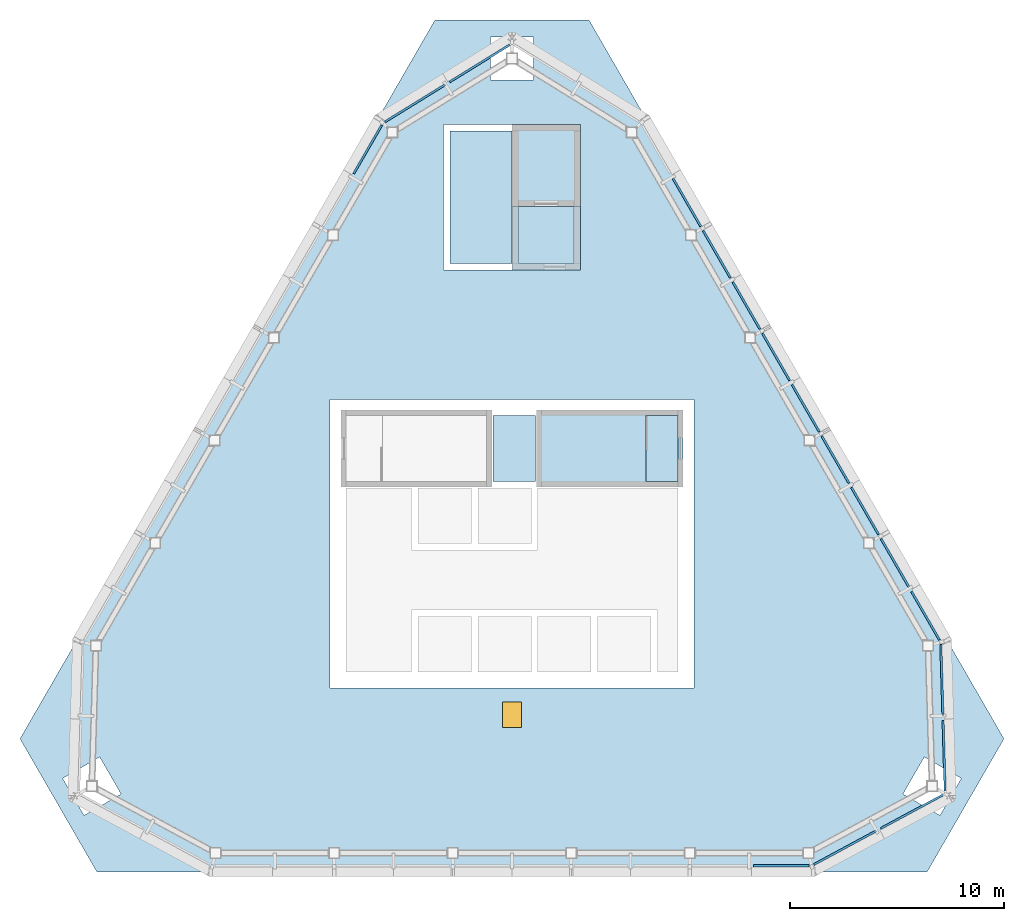
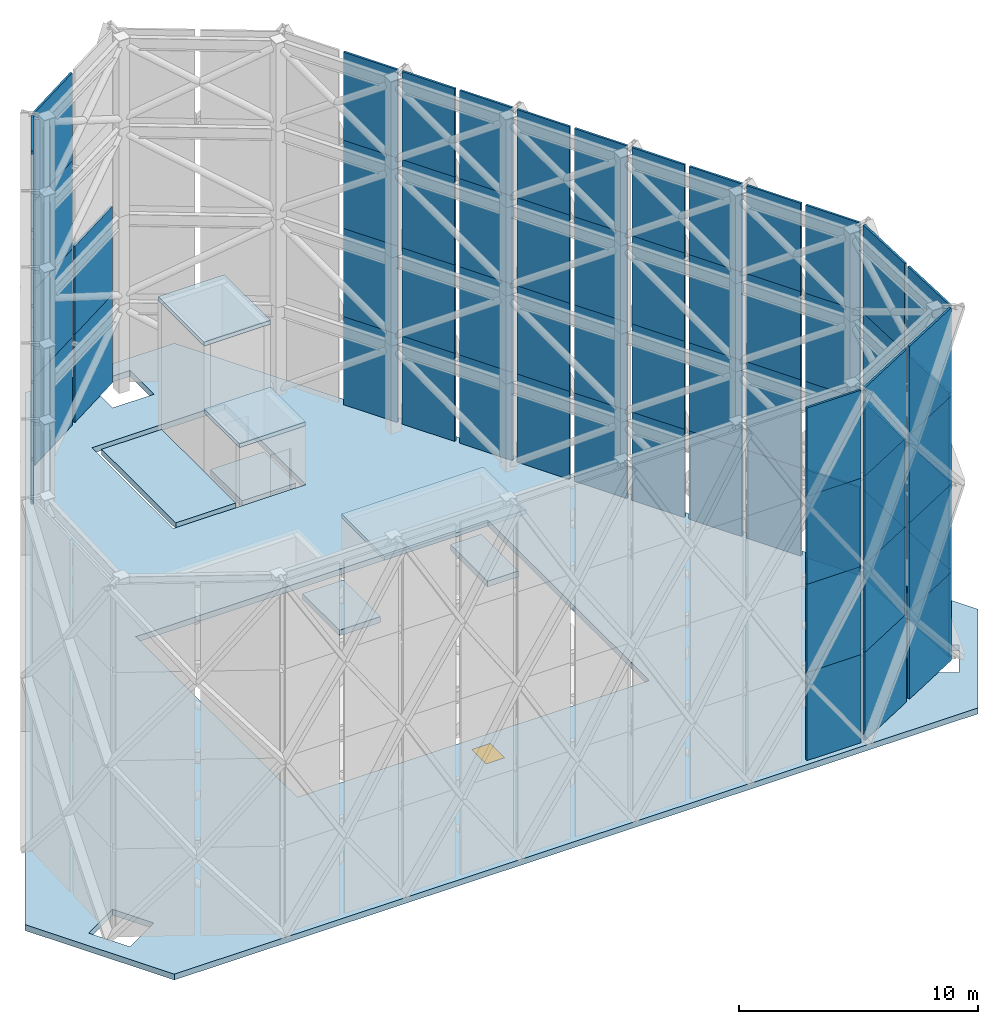
# One storey, part 9 of 12: 66 plates, 8 slabs, 1 door, 1 opening.
"""IFC4 building model written with IfcOpenShell, lengths in metres."""

from ifc_helpers import new_model, si_unit, direction, frame, origin, origin_2d, place, context, subcontext, project, spatial, polyline, rectangle, outline, extrude, material, layer, layer_set, type_object, element, fill, save


model = new_model("IFC4")

# Units and contexts
model_context = context("Model", 3, precision=1e-05, world=origin(), true_north=direction((0.0, 1.0)))
body_context = subcontext(model_context, "Body", "Model", "MODEL_VIEW")
ifc_project = project(units=[si_unit("LENGTHUNIT", "METRE"), si_unit("AREAUNIT", "SQUARE_METRE"), si_unit("VOLUMEUNIT", "CUBIC_METRE"), si_unit("PLANEANGLEUNIT", "RADIAN"), si_unit("MASSUNIT", "GRAM", prefix="KILO")], contexts=[model_context])

# Site, building, storey
site_placement = place(None, origin())
site = spatial("IfcSite", under=ifc_project, at=site_placement, CompositionType="ELEMENT")
building_placement = place(site_placement, origin())
building = spatial("IfcBuilding", under=site, at=building_placement, Name="Firuza Gate Tower and Library", CompositionType="ELEMENT")
storey_placement = place(building_placement, frame((0.0, 0.0, 339.60009765625)))
storey = spatial("IfcBuildingStorey", under=building, at=storey_placement, Name="Roof", CompositionType="ELEMENT", Elevation=339.60009765625)

# Slab, opening, door
ifc_material_1 = material(Name="Concrete C40/50", Category="concrete")
ifc_layer_1 = layer(ifc_material_1, 0.300048828125)
ifc_layer_set_1 = layer_set([ifc_layer_1], Name="Crown deck 300 C40/50")
slab_type_1 = type_object("IfcSlabType", Name="Crown deck 300 C40/50", PredefinedType="ROOF", material=ifc_layer_set_1)
placement_1 = place(storey_placement, frame((0.0, 0.0, -0.300048828125)))
slab_1 = element("IfcSlab", 1, at=placement_1, inside=storey, type_object=slab_type_1, Name="Crown deck over L82", PredefinedType="ROOF", context=body_context, shape_type="SweptSolid", body=[
    extrude(outline(polyline([(71.39990234375, 99.479736328125), (52.0, 65.8779296875), (55.60009765625, 59.642578125), (94.39990234375, 59.642578125), (98.0, 65.8779296875), (78.60009765625, 99.479736328125), (71.39990234375, 99.479736328125)]), holes=[polyline([(56.724853515625, 63.294189453125), (54.992919921875, 62.294189453125), (53.992919921875, 64.026123046875), (55.724853515625, 65.026123046875), (56.724853515625, 63.294189453125)]), polyline([(66.5, 69.0), (66.5, 81.0), (66.5, 81.75), (83.5, 81.75), (83.5, 81.0), (83.5, 69.0), (83.5, 68.25), (66.5, 68.25), (66.5, 69.0)]), polyline([(71.800048828125, 88.10009765625), (71.800048828125, 94.300048828125), (71.800048828125, 94.60009765625), (78.199951171875, 94.60009765625), (78.199951171875, 94.300048828125), (78.199951171875, 88.10009765625), (78.199951171875, 88.10009765625), (78.199951171875, 87.800048828125), (71.800048828125, 87.800048828125), (71.800048828125, 88.10009765625), (71.800048828125, 88.10009765625)]), polyline([(74.0, 98.6796875), (76.0, 98.6796875), (76.0, 96.6796875), (74.0, 96.6796875), (74.0, 98.6796875)]), polyline([(94.275146484375, 65.026123046875), (96.007080078125, 64.026123046875), (95.007080078125, 62.294189453125), (93.275146484375, 63.294189453125), (94.275146484375, 65.026123046875)])]), origin(), (0.0, 0.0, 1.0), 0.300048828125),
])
opening_placement = place(placement_1, frame((75.0, 67.0, 0.0)))
opening = element("IfcOpeningElement", 2, at=opening_placement, cuts=slab_1, Name="Opening DR7", PredefinedType="OPENING", context=body_context, shape_type="SweptSolid", body=[
    extrude(rectangle(XDim=0.89990234375, YDim=1.199951171875, at=origin_2d()), origin(), (0.0, 0.0, 1.0), 0.300048828125),
])
ifc_material_2 = material(Name="Steel S355 and ceramic coating", Category="steel")
door_type = type_object("IfcDoorType", Name="Roof access hatch 900x1200", OperationType="NOTDEFINED", PredefinedType="TRAPDOOR", material=ifc_material_2)
door_placement = place(opening_placement, frame((0.0, 0.0, 0.25)))
door = element("IfcDoor", 3, at=door_placement, inside=storey, type_object=door_type, Name="Roof access hatch", OperationType="NOTDEFINED", OverallHeight=1.199951171875, OverallWidth=0.89990234375, PredefinedType="TRAPDOOR", context=body_context, shape_type="SweptSolid", body=[
    extrude(rectangle(XDim=0.89990234375, YDim=1.199951171875, at=origin_2d()), origin(), (0.0, 0.0, 1.0), 0.050048828125),
])
fill(opening, door)

# Slabs
element("IfcSlab", 4, at=placement_1, inside=storey, type_object=slab_type_1, Name="Crown deck over L82", PredefinedType="ROOF", context=body_context, shape_type="SweptSolid", body=[
    extrude(outline(polyline([(76.090087890625, 77.89990234375), (76.090087890625, 81.0), (74.110107421875, 81.0), (74.110107421875, 77.89990234375), (76.090087890625, 77.89990234375)])), origin(), (0.0, 0.0, 1.0), 0.300048828125),
])
element("IfcSlab", 5, at=placement_1, inside=storey, type_object=slab_type_1, Name="Crown deck over L82", PredefinedType="ROOF", context=body_context, shape_type="SweptSolid", body=[
    extrude(outline(polyline([(82.75, 77.89990234375), (82.75, 81.0), (81.259521484375, 81.0), (81.259521484375, 77.89990234375), (82.75, 77.89990234375)])), origin(), (0.0, 0.0, 1.0), 0.300048828125),
])
element("IfcSlab", 6, at=placement_1, inside=storey, type_object=slab_type_1, Name="Crown deck over L82", PredefinedType="ROOF", context=body_context, shape_type="SweptSolid", body=[
    extrude(outline(polyline([(75.0, 88.10009765625), (75.0, 94.300048828125), (72.10009765625, 94.300048828125), (72.10009765625, 88.10009765625), (75.0, 88.10009765625)])), origin(), (0.0, 0.0, 1.0), 0.300048828125),
])
element("IfcSlab", 7, at=placement_1, inside=storey, type_object=slab_type_1, Name="Crown deck over L82", PredefinedType="ROOF", context=body_context, shape_type="SweptSolid", body=[
    extrude(outline(polyline([(77.89990234375, 90.75), (75.300048828125, 90.75), (75.300048828125, 88.10009765625), (77.89990234375, 88.10009765625), (77.89990234375, 90.75)])), origin(), (0.0, 0.0, 1.0), 0.300048828125),
])

# Plates
ifc_material_3 = material(Name="Perforated ceramic tile")
ifc_layer_2 = layer(ifc_material_3, 0.10009765625)
ifc_layer_set_2 = layer_set([ifc_layer_2], Name="Perforated ceramic SCREEN panel")
plate_type = type_object("IfcPlateType", Name="Perforated ceramic SCREEN panel", PredefinedType="SHEET", material=ifc_layer_set_2)
plate_1_placement = place(storey_placement, frame((86.281494140625, 59.892578125, 0.0), z_axis=(0.0, -1.0, 0.0), x_axis=(1.0, 0.0, 0.0)))
element("IfcPlate", 8, at=plate_1_placement, inside=storey, type_object=plate_type, Name="SCREEN 1.7.2", PredefinedType="SHEET", context=body_context, shape_type="SweptSolid", body=[
    extrude(outline(polyline([(0.0, 0.0), (2.607177734375, 0.0), (2.607177734375, 4.5), (0.0, 4.5), (0.0, 0.0)])), origin(), (0.0, 0.0, -1.0), 0.10009765625),
])
for number, where, z_axis, x_axis, name in (
    (9, (89.137939453125, 59.955322265625, 0.0), (0.474500478405, -0.880255244797, 0.0), (0.880255244797, 0.474500478405, 0.0), "SCREEN 1.8.1"),
    (10, (92.259521484375, 61.637939453125, 0.0), (0.474500478405, -0.880255244797, 0.0), (0.880255244797, 0.474500478405, 0.0), "SCREEN 1.8.2"),
):
    element("IfcPlate", number, at=place(storey_placement, frame(where, z_axis=z_axis, x_axis=x_axis)), inside=storey, type_object=plate_type, Name=name, PredefinedType="SHEET", context=body_context, shape_type="SweptSolid", body=[
        extrude(outline(polyline([(0.0, 0.0), (3.306314171743404, 0.0), (3.306314171743404, 4.5), (0.0, 4.5), (0.0, 0.0)])), origin(), (0.0, 0.0, -1.0), 0.10009765625),
    ])
plate_2_placement = place(storey_placement, frame((95.298095703125, 63.428955078125, 0.0), z_axis=(0.99957455628, 0.029166872256, 0.0), x_axis=(-0.029166872256, 0.99957455628, 0.0)))
element("IfcPlate", 11, at=plate_2_placement, inside=storey, type_object=plate_type, Name="SCREEN 1.9.1", PredefinedType="SHEET", context=body_context, shape_type="SweptSolid", body=[
    extrude(outline(polyline([(0.0, 0.0), (3.3063383014908405, 0.0), (3.3063383014908405, 4.5), (0.0, 4.5), (0.0, 0.0)])), origin(), (0.0, 0.0, -1.0), 0.10009765625),
])
plate_3_placement = place(storey_placement, frame((95.194580078125, 66.9736328125, 0.0), z_axis=(0.999572400791, 0.029240649384, 0.0), x_axis=(-0.029240649384, 0.999572400791, 0.0)))
element("IfcPlate", 12, at=plate_3_placement, inside=storey, type_object=plate_type, Name="SCREEN 1.9.2", PredefinedType="SHEET", context=body_context, shape_type="SweptSolid", body=[
    extrude(outline(polyline([(0.0, 0.0), (3.306345431315269, 0.0), (3.306345431315269, 4.499999999999999), (0.0, 4.499999999999999), (0.0, 0.0)])), origin(), (0.0, 0.0, -1.0), 0.10009765625),
])
for number, where, z_axis, x_axis, name in (
    (13, (95.02783203125, 70.52587890625, 0.0), (0.865998449813, 0.500046682742, 0.0), (-0.500046682742, 0.865998449813, 0.0), "SCREEN 1.10.1"),
    (14, (93.604248046875, 72.99169921875, 0.0), (0.865998449813, 0.500046682742, 0.0), (-0.500046682742, 0.865998449813, 0.0), "SCREEN 1.10.2"),
):
    element("IfcPlate", number, at=place(storey_placement, frame(where, z_axis=z_axis, x_axis=x_axis)), inside=storey, type_object=plate_type, Name=name, PredefinedType="SHEET", context=body_context, shape_type="SweptSolid", body=[
        extrude(outline(polyline([(0.0, 0.0), (2.607178454520016, 0.0), (2.607178454520016, 4.5), (0.0, 4.5), (0.0, 0.0)])), origin(), (0.0, 0.0, -1.0), 0.10009765625),
    ])
for number, where, z_axis, x_axis, name in (
    (15, (92.1806640625, 75.457275390625, 0.0), (0.866050685319, 0.499956208541, 0.0), (-0.499956208541, 0.866050685319, 0.0), "SCREEN 1.11.1"),
    (16, (90.794921875, 77.857421875, 0.0), (0.866050685319, 0.499956208541, 0.0), (-0.499956208541, 0.866050685319, 0.0), "SCREEN 1.11.2"),
    (17, (89.4091796875, 80.257568359375, 0.0), (0.866050685319, 0.499956208541, 0.0), (-0.499956208541, 0.866050685319, 0.0), "SCREEN 1.12.1"),
):
    element("IfcPlate", number, at=place(storey_placement, frame(where, z_axis=z_axis, x_axis=x_axis)), inside=storey, type_object=plate_type, Name=name, PredefinedType="SHEET", context=body_context, shape_type="SweptSolid", body=[
        extrude(outline(polyline([(0.0, 0.0), (2.53147171368167, 0.0), (2.53147171368167, 4.5), (0.0, 4.5), (0.0, 0.0)])), origin(), (0.0, 0.0, -1.0), 0.10009765625),
    ])
for number, where, z_axis, x_axis, name in (
    (18, (88.0234375, 82.65771484375, 0.0), (0.866026575979, 0.499997969693, 0.0), (-0.499997969693, 0.866026575979, 0.0), "SCREEN 1.12.2"),
    (19, (86.6376953125, 85.057861328125, 0.0), (0.866026575979, 0.499997969693, 0.0), (-0.499997969693, 0.866026575979, 0.0), "SCREEN 1.13.1"),
    (20, (85.251953125, 87.4580078125, 0.0), (0.866026575979, 0.499997969693, 0.0), (-0.499997969693, 0.866026575979, 0.0), "SCREEN 1.13.2"),
):
    element("IfcPlate", number, at=place(storey_placement, frame(where, z_axis=z_axis, x_axis=x_axis)), inside=storey, type_object=plate_type, Name=name, PredefinedType="SHEET", context=body_context, shape_type="SweptSolid", body=[
        extrude(outline(polyline([(0.0, 0.0), (2.531260278468986, 0.0), (2.531260278468986, 4.500000000000001), (0.0, 4.500000000000001), (0.0, 0.0)])), origin(), (0.0, 0.0, -1.0), 0.10009765625),
    ])
plate_4_placement = place(storey_placement, frame((83.866455078125, 89.858154296875, 0.0), z_axis=(0.865998449813, 0.500046682742, 0.0), x_axis=(-0.500046682742, 0.865998449813, 0.0)))
element("IfcPlate", 21, at=plate_4_placement, inside=storey, type_object=plate_type, Name="SCREEN 1.14.1", PredefinedType="SHEET", context=body_context, shape_type="SweptSolid", body=[
    extrude(outline(polyline([(0.0, 0.0), (2.607178454520016, 0.0), (2.607178454520016, 4.5), (0.0, 4.5), (0.0, 0.0)])), origin(), (0.0, 0.0, -1.0), 0.10009765625),
])
for number, where, z_axis, x_axis, name in (
    (22, (74.87158203125, 98.3642578125, 0.0), (-0.525098223737, 0.851041629668, 0.0), (-0.851041629668, -0.525098223737, 0.0), "SCREEN 1.16.1"),
    (23, (71.853759765625, 96.502197265625, 0.0), (-0.525098223737, 0.851041629668, 0.0), (-0.851041629668, -0.525098223737, 0.0), "SCREEN 1.16.2"),
):
    element("IfcPlate", number, at=place(storey_placement, frame(where, z_axis=z_axis, x_axis=x_axis)), inside=storey, type_object=plate_type, Name=name, PredefinedType="SHEET", context=body_context, shape_type="SweptSolid", body=[
        extrude(outline(polyline([(0.0, 0.0), (3.306208069072124, 0.0), (3.306208069072124, 4.5), (0.0, 4.5), (0.0, 0.0)])), origin(), (0.0, 0.0, -1.0), 0.10009765625),
    ])
plate_5_placement = place(storey_placement, frame((68.86083984375, 94.58154296875, 0.0), z_axis=(-0.865998449813, 0.500046682742, 0.0), x_axis=(-0.500046682742, -0.865998449813, 0.0)))
element("IfcPlate", 24, at=plate_5_placement, inside=storey, type_object=plate_type, Name="SCREEN 1.17.1", PredefinedType="SHEET", context=body_context, shape_type="SweptSolid", body=[
    extrude(outline(polyline([(0.0, 0.0), (2.607178454520016, 0.0), (2.607178454520016, 4.5), (0.0, 4.5), (0.0, 0.0)])), origin(), (0.0, 0.0, -1.0), 0.10009765625),
])
plate_6_placement = place(storey_placement, frame((86.281494140625, 59.892578125, 4.5), z_axis=(0.0, -1.0, 0.0), x_axis=(1.0, 0.0, 0.0)))
element("IfcPlate", 25, at=plate_6_placement, inside=storey, type_object=plate_type, Name="SCREEN 2.7.2", PredefinedType="SHEET", context=body_context, shape_type="SweptSolid", body=[
    extrude(outline(polyline([(0.0, 0.0), (2.607177734375, 0.0), (2.607177734375, 4.5), (0.0, 4.5), (0.0, 0.0)])), origin(), (0.0, 0.0, -1.0), 0.10009765625),
])
for number, where, z_axis, x_axis, name in (
    (26, (89.137939453125, 59.955322265625, 4.5), (0.474500478405, -0.880255244797, 0.0), (0.880255244797, 0.474500478405, 0.0), "SCREEN 2.8.1"),
    (27, (92.259521484375, 61.637939453125, 4.5), (0.474500478405, -0.880255244797, 0.0), (0.880255244797, 0.474500478405, 0.0), "SCREEN 2.8.2"),
):
    element("IfcPlate", number, at=place(storey_placement, frame(where, z_axis=z_axis, x_axis=x_axis)), inside=storey, type_object=plate_type, Name=name, PredefinedType="SHEET", context=body_context, shape_type="SweptSolid", body=[
        extrude(outline(polyline([(0.0, 0.0), (3.306314171743404, 0.0), (3.306314171743404, 4.5), (0.0, 4.5), (0.0, 0.0)])), origin(), (0.0, 0.0, -1.0), 0.10009765625),
    ])
plate_7_placement = place(storey_placement, frame((95.298095703125, 63.428955078125, 4.5), z_axis=(0.99957455628, 0.029166872256, 0.0), x_axis=(-0.029166872256, 0.99957455628, 0.0)))
element("IfcPlate", 28, at=plate_7_placement, inside=storey, type_object=plate_type, Name="SCREEN 2.9.1", PredefinedType="SHEET", context=body_context, shape_type="SweptSolid", body=[
    extrude(outline(polyline([(0.0, 0.0), (3.3063383014908405, 0.0), (3.3063383014908405, 4.5), (0.0, 4.5), (0.0, 0.0)])), origin(), (0.0, 0.0, -1.0), 0.10009765625),
])
plate_8_placement = place(storey_placement, frame((95.194580078125, 66.9736328125, 4.5), z_axis=(0.999572400791, 0.029240649384, 0.0), x_axis=(-0.029240649384, 0.999572400791, 0.0)))
element("IfcPlate", 29, at=plate_8_placement, inside=storey, type_object=plate_type, Name="SCREEN 2.9.2", PredefinedType="SHEET", context=body_context, shape_type="SweptSolid", body=[
    extrude(outline(polyline([(0.0, 0.0), (3.306345431315269, 0.0), (3.306345431315269, 4.499999999999999), (0.0, 4.499999999999999), (0.0, 0.0)])), origin(), (0.0, 0.0, -1.0), 0.10009765625),
])
for number, where, z_axis, x_axis, name in (
    (30, (95.02783203125, 70.52587890625, 4.5), (0.865998449813, 0.500046682742, 0.0), (-0.500046682742, 0.865998449813, 0.0), "SCREEN 2.10.1"),
    (31, (93.604248046875, 72.99169921875, 4.5), (0.865998449813, 0.500046682742, 0.0), (-0.500046682742, 0.865998449813, 0.0), "SCREEN 2.10.2"),
):
    element("IfcPlate", number, at=place(storey_placement, frame(where, z_axis=z_axis, x_axis=x_axis)), inside=storey, type_object=plate_type, Name=name, PredefinedType="SHEET", context=body_context, shape_type="SweptSolid", body=[
        extrude(outline(polyline([(0.0, 0.0), (2.607178454520016, 0.0), (2.607178454520016, 4.5), (0.0, 4.5), (0.0, 0.0)])), origin(), (0.0, 0.0, -1.0), 0.10009765625),
    ])
for number, where, z_axis, x_axis, name in (
    (32, (92.1806640625, 75.457275390625, 4.5), (0.866050685319, 0.499956208541, 0.0), (-0.499956208541, 0.866050685319, 0.0), "SCREEN 2.11.1"),
    (33, (90.794921875, 77.857421875, 4.5), (0.866050685319, 0.499956208541, 0.0), (-0.499956208541, 0.866050685319, 0.0), "SCREEN 2.11.2"),
    (34, (89.4091796875, 80.257568359375, 4.5), (0.866050685319, 0.499956208541, 0.0), (-0.499956208541, 0.866050685319, 0.0), "SCREEN 2.12.1"),
):
    element("IfcPlate", number, at=place(storey_placement, frame(where, z_axis=z_axis, x_axis=x_axis)), inside=storey, type_object=plate_type, Name=name, PredefinedType="SHEET", context=body_context, shape_type="SweptSolid", body=[
        extrude(outline(polyline([(0.0, 0.0), (2.53147171368167, 0.0), (2.53147171368167, 4.5), (0.0, 4.5), (0.0, 0.0)])), origin(), (0.0, 0.0, -1.0), 0.10009765625),
    ])
for number, where, z_axis, x_axis, name in (
    (35, (88.0234375, 82.65771484375, 4.5), (0.866026575979, 0.499997969693, 0.0), (-0.499997969693, 0.866026575979, 0.0), "SCREEN 2.12.2"),
    (36, (86.6376953125, 85.057861328125, 4.5), (0.866026575979, 0.499997969693, 0.0), (-0.499997969693, 0.866026575979, 0.0), "SCREEN 2.13.1"),
    (37, (85.251953125, 87.4580078125, 4.5), (0.866026575979, 0.499997969693, 0.0), (-0.499997969693, 0.866026575979, 0.0), "SCREEN 2.13.2"),
):
    element("IfcPlate", number, at=place(storey_placement, frame(where, z_axis=z_axis, x_axis=x_axis)), inside=storey, type_object=plate_type, Name=name, PredefinedType="SHEET", context=body_context, shape_type="SweptSolid", body=[
        extrude(outline(polyline([(0.0, 0.0), (2.531260278468986, 0.0), (2.531260278468986, 4.500000000000001), (0.0, 4.500000000000001), (0.0, 0.0)])), origin(), (0.0, 0.0, -1.0), 0.10009765625),
    ])
plate_9_placement = place(storey_placement, frame((83.866455078125, 89.858154296875, 4.5), z_axis=(0.865998449813, 0.500046682742, 0.0), x_axis=(-0.500046682742, 0.865998449813, 0.0)))
element("IfcPlate", 38, at=plate_9_placement, inside=storey, type_object=plate_type, Name="SCREEN 2.14.1", PredefinedType="SHEET", context=body_context, shape_type="SweptSolid", body=[
    extrude(outline(polyline([(0.0, 0.0), (2.607178454520016, 0.0), (2.607178454520016, 4.5), (0.0, 4.5), (0.0, 0.0)])), origin(), (0.0, 0.0, -1.0), 0.10009765625),
])
for number, where, z_axis, x_axis, name in (
    (39, (74.87158203125, 98.3642578125, 4.5), (-0.525098223737, 0.851041629668, 0.0), (-0.851041629668, -0.525098223737, 0.0), "SCREEN 2.16.1"),
    (40, (71.853759765625, 96.502197265625, 4.5), (-0.525098223737, 0.851041629668, 0.0), (-0.851041629668, -0.525098223737, 0.0), "SCREEN 2.16.2"),
):
    element("IfcPlate", number, at=place(storey_placement, frame(where, z_axis=z_axis, x_axis=x_axis)), inside=storey, type_object=plate_type, Name=name, PredefinedType="SHEET", context=body_context, shape_type="SweptSolid", body=[
        extrude(outline(polyline([(0.0, 0.0), (3.306208069072124, 0.0), (3.306208069072124, 4.5), (0.0, 4.5), (0.0, 0.0)])), origin(), (0.0, 0.0, -1.0), 0.10009765625),
    ])
plate_10_placement = place(storey_placement, frame((68.86083984375, 94.58154296875, 4.5), z_axis=(-0.865998449813, 0.500046682742, 0.0), x_axis=(-0.500046682742, -0.865998449813, 0.0)))
element("IfcPlate", 41, at=plate_10_placement, inside=storey, type_object=plate_type, Name="SCREEN 2.17.1", PredefinedType="SHEET", context=body_context, shape_type="SweptSolid", body=[
    extrude(outline(polyline([(0.0, 0.0), (2.607178454520016, 0.0), (2.607178454520016, 4.5), (0.0, 4.5), (0.0, 0.0)])), origin(), (0.0, 0.0, -1.0), 0.10009765625),
])
plate_11_placement = place(storey_placement, frame((86.281494140625, 59.892578125, 9.0), z_axis=(0.0, -1.0, 0.0), x_axis=(1.0, 0.0, 0.0)))
element("IfcPlate", 42, at=plate_11_placement, inside=storey, type_object=plate_type, Name="SCREEN 3.7.2", PredefinedType="SHEET", context=body_context, shape_type="SweptSolid", body=[
    extrude(outline(polyline([(0.0, 0.0), (2.607177734375, 0.0), (2.607177734375, 4.5), (0.0, 4.5), (0.0, 0.0)])), origin(), (0.0, 0.0, -1.0), 0.10009765625),
])
for number, where, z_axis, x_axis, name in (
    (43, (89.137939453125, 59.955322265625, 9.0), (0.474500478405, -0.880255244797, 0.0), (0.880255244797, 0.474500478405, 0.0), "SCREEN 3.8.1"),
    (44, (92.259521484375, 61.637939453125, 9.0), (0.474500478405, -0.880255244797, 0.0), (0.880255244797, 0.474500478405, 0.0), "SCREEN 3.8.2"),
):
    element("IfcPlate", number, at=place(storey_placement, frame(where, z_axis=z_axis, x_axis=x_axis)), inside=storey, type_object=plate_type, Name=name, PredefinedType="SHEET", context=body_context, shape_type="SweptSolid", body=[
        extrude(outline(polyline([(0.0, 0.0), (3.306314171743404, 0.0), (3.306314171743404, 4.5), (0.0, 4.5), (0.0, 0.0)])), origin(), (0.0, 0.0, -1.0), 0.10009765625),
    ])
plate_12_placement = place(storey_placement, frame((95.298095703125, 63.428955078125, 9.0), z_axis=(0.99957455628, 0.029166872256, 0.0), x_axis=(-0.029166872256, 0.99957455628, 0.0)))
element("IfcPlate", 45, at=plate_12_placement, inside=storey, type_object=plate_type, Name="SCREEN 3.9.1", PredefinedType="SHEET", context=body_context, shape_type="SweptSolid", body=[
    extrude(outline(polyline([(0.0, 0.0), (3.3063383014908405, 0.0), (3.3063383014908405, 4.5), (0.0, 4.5), (0.0, 0.0)])), origin(), (0.0, 0.0, -1.0), 0.10009765625),
])
plate_13_placement = place(storey_placement, frame((95.194580078125, 66.9736328125, 9.0), z_axis=(0.999572400791, 0.029240649384, 0.0), x_axis=(-0.029240649384, 0.999572400791, 0.0)))
element("IfcPlate", 46, at=plate_13_placement, inside=storey, type_object=plate_type, Name="SCREEN 3.9.2", PredefinedType="SHEET", context=body_context, shape_type="SweptSolid", body=[
    extrude(outline(polyline([(0.0, 0.0), (3.306345431315269, 0.0), (3.306345431315269, 4.499999999999999), (0.0, 4.499999999999999), (0.0, 0.0)])), origin(), (0.0, 0.0, -1.0), 0.10009765625),
])
for number, where, z_axis, x_axis, name in (
    (47, (95.02783203125, 70.52587890625, 9.0), (0.865998449813, 0.500046682742, 0.0), (-0.500046682742, 0.865998449813, 0.0), "SCREEN 3.10.1"),
    (48, (93.604248046875, 72.99169921875, 9.0), (0.865998449813, 0.500046682742, 0.0), (-0.500046682742, 0.865998449813, 0.0), "SCREEN 3.10.2"),
):
    element("IfcPlate", number, at=place(storey_placement, frame(where, z_axis=z_axis, x_axis=x_axis)), inside=storey, type_object=plate_type, Name=name, PredefinedType="SHEET", context=body_context, shape_type="SweptSolid", body=[
        extrude(outline(polyline([(0.0, 0.0), (2.607178454520016, 0.0), (2.607178454520016, 4.5), (0.0, 4.5), (0.0, 0.0)])), origin(), (0.0, 0.0, -1.0), 0.10009765625),
    ])
for number, where, z_axis, x_axis, name in (
    (49, (92.1806640625, 75.457275390625, 9.0), (0.866050685319, 0.499956208541, 0.0), (-0.499956208541, 0.866050685319, 0.0), "SCREEN 3.11.1"),
    (50, (90.794921875, 77.857421875, 9.0), (0.866050685319, 0.499956208541, 0.0), (-0.499956208541, 0.866050685319, 0.0), "SCREEN 3.11.2"),
    (51, (89.4091796875, 80.257568359375, 9.0), (0.866050685319, 0.499956208541, 0.0), (-0.499956208541, 0.866050685319, 0.0), "SCREEN 3.12.1"),
):
    element("IfcPlate", number, at=place(storey_placement, frame(where, z_axis=z_axis, x_axis=x_axis)), inside=storey, type_object=plate_type, Name=name, PredefinedType="SHEET", context=body_context, shape_type="SweptSolid", body=[
        extrude(outline(polyline([(0.0, 0.0), (2.53147171368167, 0.0), (2.53147171368167, 4.5), (0.0, 4.5), (0.0, 0.0)])), origin(), (0.0, 0.0, -1.0), 0.10009765625),
    ])
for number, where, z_axis, x_axis, name in (
    (52, (88.0234375, 82.65771484375, 9.0), (0.866026575979, 0.499997969693, 0.0), (-0.499997969693, 0.866026575979, 0.0), "SCREEN 3.12.2"),
    (53, (86.6376953125, 85.057861328125, 9.0), (0.866026575979, 0.499997969693, 0.0), (-0.499997969693, 0.866026575979, 0.0), "SCREEN 3.13.1"),
    (54, (85.251953125, 87.4580078125, 9.0), (0.866026575979, 0.499997969693, 0.0), (-0.499997969693, 0.866026575979, 0.0), "SCREEN 3.13.2"),
):
    element("IfcPlate", number, at=place(storey_placement, frame(where, z_axis=z_axis, x_axis=x_axis)), inside=storey, type_object=plate_type, Name=name, PredefinedType="SHEET", context=body_context, shape_type="SweptSolid", body=[
        extrude(outline(polyline([(0.0, 0.0), (2.531260278468986, 0.0), (2.531260278468986, 4.500000000000001), (0.0, 4.500000000000001), (0.0, 0.0)])), origin(), (0.0, 0.0, -1.0), 0.10009765625),
    ])
plate_14_placement = place(storey_placement, frame((83.866455078125, 89.858154296875, 9.0), z_axis=(0.865998449813, 0.500046682742, 0.0), x_axis=(-0.500046682742, 0.865998449813, 0.0)))
element("IfcPlate", 55, at=plate_14_placement, inside=storey, type_object=plate_type, Name="SCREEN 3.14.1", PredefinedType="SHEET", context=body_context, shape_type="SweptSolid", body=[
    extrude(outline(polyline([(0.0, 0.0), (2.607178454520016, 0.0), (2.607178454520016, 4.5), (0.0, 4.5), (0.0, 0.0)])), origin(), (0.0, 0.0, -1.0), 0.10009765625),
])
plate_15_placement = place(storey_placement, frame((71.853759765625, 96.502197265625, 9.0), z_axis=(-0.525098223737, 0.851041629668, 0.0), x_axis=(-0.851041629668, -0.525098223737, 0.0)))
element("IfcPlate", 56, at=plate_15_placement, inside=storey, type_object=plate_type, Name="SCREEN 3.16.2", PredefinedType="SHEET", context=body_context, shape_type="SweptSolid", body=[
    extrude(outline(polyline([(0.0, 0.0), (3.306208069072124, 0.0), (3.306208069072124, 4.5), (0.0, 4.5), (0.0, 0.0)])), origin(), (0.0, 0.0, -1.0), 0.10009765625),
])
plate_16_placement = place(storey_placement, frame((68.86083984375, 94.58154296875, 9.0), z_axis=(-0.865998449813, 0.500046682742, 0.0), x_axis=(-0.500046682742, -0.865998449813, 0.0)))
element("IfcPlate", 57, at=plate_16_placement, inside=storey, type_object=plate_type, Name="SCREEN 3.17.1", PredefinedType="SHEET", context=body_context, shape_type="SweptSolid", body=[
    extrude(outline(polyline([(0.0, 0.0), (2.607178454520016, 0.0), (2.607178454520016, 4.5), (0.0, 4.5), (0.0, 0.0)])), origin(), (0.0, 0.0, -1.0), 0.10009765625),
])
plate_17_placement = place(storey_placement, frame((86.281494140625, 59.892578125, 13.5), z_axis=(0.0, -1.0, 0.0), x_axis=(1.0, 0.0, 0.0)))
element("IfcPlate", 58, at=plate_17_placement, inside=storey, type_object=plate_type, Name="SCREEN 4.7.2", PredefinedType="SHEET", context=body_context, shape_type="SweptSolid", body=[
    extrude(outline(polyline([(0.0, 0.0), (2.607177734375, 0.0), (2.607177734375, 4.5), (0.0, 4.5), (0.0, 0.0)])), origin(), (0.0, 0.0, -1.0), 0.10009765625),
])
for number, where, z_axis, x_axis, name in (
    (59, (89.137939453125, 59.955322265625, 13.5), (0.474500478405, -0.880255244797, 0.0), (0.880255244797, 0.474500478405, 0.0), "SCREEN 4.8.1"),
    (60, (92.259521484375, 61.637939453125, 13.5), (0.474500478405, -0.880255244797, 0.0), (0.880255244797, 0.474500478405, 0.0), "SCREEN 4.8.2"),
):
    element("IfcPlate", number, at=place(storey_placement, frame(where, z_axis=z_axis, x_axis=x_axis)), inside=storey, type_object=plate_type, Name=name, PredefinedType="SHEET", context=body_context, shape_type="SweptSolid", body=[
        extrude(outline(polyline([(0.0, 0.0), (3.306314171743404, 0.0), (3.306314171743404, 4.5), (0.0, 4.5), (0.0, 0.0)])), origin(), (0.0, 0.0, -1.0), 0.10009765625),
    ])
plate_18_placement = place(storey_placement, frame((95.298095703125, 63.428955078125, 13.5), z_axis=(0.99957455628, 0.029166872256, 0.0), x_axis=(-0.029166872256, 0.99957455628, 0.0)))
element("IfcPlate", 61, at=plate_18_placement, inside=storey, type_object=plate_type, Name="SCREEN 4.9.1", PredefinedType="SHEET", context=body_context, shape_type="SweptSolid", body=[
    extrude(outline(polyline([(0.0, 0.0), (3.3063383014908405, 0.0), (3.3063383014908405, 4.5), (0.0, 4.5), (0.0, 0.0)])), origin(), (0.0, 0.0, -1.0), 0.10009765625),
])
plate_19_placement = place(storey_placement, frame((95.194580078125, 66.9736328125, 13.5), z_axis=(0.999572400791, 0.029240649384, 0.0), x_axis=(-0.029240649384, 0.999572400791, 0.0)))
element("IfcPlate", 62, at=plate_19_placement, inside=storey, type_object=plate_type, Name="SCREEN 4.9.2", PredefinedType="SHEET", context=body_context, shape_type="SweptSolid", body=[
    extrude(outline(polyline([(0.0, 0.0), (3.306345431315269, 0.0), (3.306345431315269, 4.499999999999999), (0.0, 4.499999999999999), (0.0, 0.0)])), origin(), (0.0, 0.0, -1.0), 0.10009765625),
])
for number, where, z_axis, x_axis, name in (
    (63, (95.02783203125, 70.52587890625, 13.5), (0.865998449813, 0.500046682742, 0.0), (-0.500046682742, 0.865998449813, 0.0), "SCREEN 4.10.1"),
    (64, (93.604248046875, 72.99169921875, 13.5), (0.865998449813, 0.500046682742, 0.0), (-0.500046682742, 0.865998449813, 0.0), "SCREEN 4.10.2"),
):
    element("IfcPlate", number, at=place(storey_placement, frame(where, z_axis=z_axis, x_axis=x_axis)), inside=storey, type_object=plate_type, Name=name, PredefinedType="SHEET", context=body_context, shape_type="SweptSolid", body=[
        extrude(outline(polyline([(0.0, 0.0), (2.607178454520016, 0.0), (2.607178454520016, 4.5), (0.0, 4.5), (0.0, 0.0)])), origin(), (0.0, 0.0, -1.0), 0.10009765625),
    ])
for number, where, z_axis, x_axis, name in (
    (65, (92.1806640625, 75.457275390625, 13.5), (0.866050685319, 0.499956208541, 0.0), (-0.499956208541, 0.866050685319, 0.0), "SCREEN 4.11.1"),
    (66, (90.794921875, 77.857421875, 13.5), (0.866050685319, 0.499956208541, 0.0), (-0.499956208541, 0.866050685319, 0.0), "SCREEN 4.11.2"),
    (67, (89.4091796875, 80.257568359375, 13.5), (0.866050685319, 0.499956208541, 0.0), (-0.499956208541, 0.866050685319, 0.0), "SCREEN 4.12.1"),
):
    element("IfcPlate", number, at=place(storey_placement, frame(where, z_axis=z_axis, x_axis=x_axis)), inside=storey, type_object=plate_type, Name=name, PredefinedType="SHEET", context=body_context, shape_type="SweptSolid", body=[
        extrude(outline(polyline([(0.0, 0.0), (2.53147171368167, 0.0), (2.53147171368167, 4.5), (0.0, 4.5), (0.0, 0.0)])), origin(), (0.0, 0.0, -1.0), 0.10009765625),
    ])
for number, where, z_axis, x_axis, name in (
    (68, (88.0234375, 82.65771484375, 13.5), (0.866026575979, 0.499997969693, 0.0), (-0.499997969693, 0.866026575979, 0.0), "SCREEN 4.12.2"),
    (69, (86.6376953125, 85.057861328125, 13.5), (0.866026575979, 0.499997969693, 0.0), (-0.499997969693, 0.866026575979, 0.0), "SCREEN 4.13.1"),
    (70, (85.251953125, 87.4580078125, 13.5), (0.866026575979, 0.499997969693, 0.0), (-0.499997969693, 0.866026575979, 0.0), "SCREEN 4.13.2"),
):
    element("IfcPlate", number, at=place(storey_placement, frame(where, z_axis=z_axis, x_axis=x_axis)), inside=storey, type_object=plate_type, Name=name, PredefinedType="SHEET", context=body_context, shape_type="SweptSolid", body=[
        extrude(outline(polyline([(0.0, 0.0), (2.531260278468986, 0.0), (2.531260278468986, 4.500000000000001), (0.0, 4.500000000000001), (0.0, 0.0)])), origin(), (0.0, 0.0, -1.0), 0.10009765625),
    ])
plate_20_placement = place(storey_placement, frame((83.866455078125, 89.858154296875, 13.5), z_axis=(0.865998449813, 0.500046682742, 0.0), x_axis=(-0.500046682742, 0.865998449813, 0.0)))
element("IfcPlate", 71, at=plate_20_placement, inside=storey, type_object=plate_type, Name="SCREEN 4.14.1", PredefinedType="SHEET", context=body_context, shape_type="SweptSolid", body=[
    extrude(outline(polyline([(0.0, 0.0), (2.607178454520016, 0.0), (2.607178454520016, 4.5), (0.0, 4.5), (0.0, 0.0)])), origin(), (0.0, 0.0, -1.0), 0.10009765625),
])
plate_21_placement = place(storey_placement, frame((71.853759765625, 96.502197265625, 13.5), z_axis=(-0.525098223737, 0.851041629668, 0.0), x_axis=(-0.851041629668, -0.525098223737, 0.0)))
element("IfcPlate", 72, at=plate_21_placement, inside=storey, type_object=plate_type, Name="SCREEN 4.16.2", PredefinedType="SHEET", context=body_context, shape_type="SweptSolid", body=[
    extrude(outline(polyline([(0.0, 0.0), (3.306208069072124, 0.0), (3.306208069072124, 4.5), (0.0, 4.5), (0.0, 0.0)])), origin(), (0.0, 0.0, -1.0), 0.10009765625),
])
plate_22_placement = place(storey_placement, frame((68.86083984375, 94.58154296875, 13.5), z_axis=(-0.865998449813, 0.500046682742, 0.0), x_axis=(-0.500046682742, -0.865998449813, 0.0)))
element("IfcPlate", 73, at=plate_22_placement, inside=storey, type_object=plate_type, Name="SCREEN 4.17.1", PredefinedType="SHEET", context=body_context, shape_type="SweptSolid", body=[
    extrude(outline(polyline([(0.0, 0.0), (2.607178454520016, 0.0), (2.607178454520016, 4.5), (0.0, 4.5), (0.0, 0.0)])), origin(), (0.0, 0.0, -1.0), 0.10009765625),
])

# Slabs
ifc_material_4 = material(Name="Concrete C35/45", Category="concrete")
ifc_layer_3 = layer(ifc_material_4, 0.199951171875)
ifc_layer_set_3 = layer_set([ifc_layer_3], Name="Stair head-house roof 200")
slab_type_2 = type_object("IfcSlabType", Name="Stair head-house roof 200", PredefinedType="ROOF", material=ifc_layer_set_3)
placement_2 = place(storey_placement, frame((0.0, 0.0, 3.0)))
element("IfcSlab", 74, at=placement_2, inside=storey, type_object=slab_type_2, Name="Stair ST2 head-house roof", PredefinedType="ROOF", context=body_context, shape_type="SweptSolid", body=[
    extrude(outline(polyline([(76.139892578125, 77.64990234375), (83.0, 77.64990234375), (83.0, 81.25), (76.139892578125, 81.25), (76.139892578125, 77.64990234375)])), origin(), (0.0, 0.0, 1.0), 0.199951171875),
])
element("IfcSlab", 75, at=placement_2, inside=storey, type_object=slab_type_2, Name="Roof service lobby roof", PredefinedType="ROOF", context=body_context, shape_type="SweptSolid", body=[
    extrude(outline(polyline([(75.0, 87.800048828125), (78.199951171875, 87.800048828125), (78.199951171875, 90.75), (75.0, 90.75), (75.0, 87.800048828125)])), origin(), (0.0, 0.0, 1.0), 0.199951171875),
])
slab_8_placement = place(storey_placement, frame((0.0, 0.0, 6.39990234375)))
element("IfcSlab", 76, at=slab_8_placement, inside=storey, type_object=slab_type_2, Name="Lift penthouse roof", PredefinedType="ROOF", context=body_context, shape_type="SweptSolid", body=[
    extrude(outline(polyline([(75.0, 90.75), (78.199951171875, 90.75), (78.199951171875, 94.60009765625), (75.0, 94.60009765625), (75.0, 90.75)])), origin(), (0.0, 0.0, 1.0), 0.199951171875),
])

save(model, "model.ifc")
